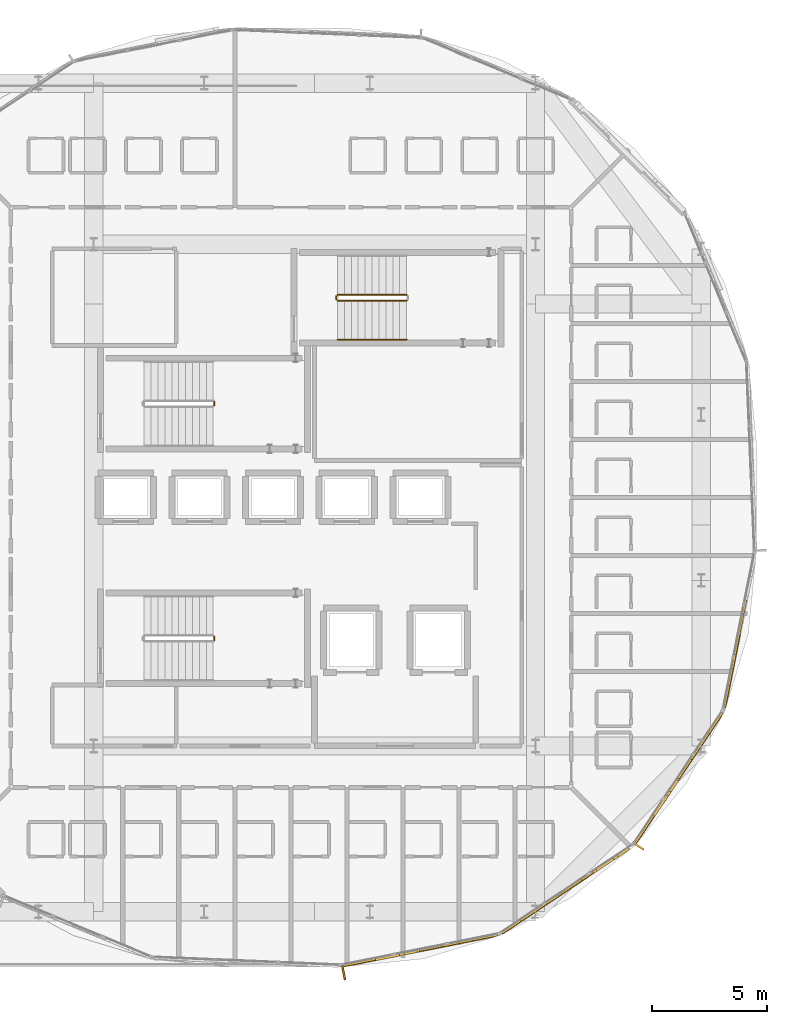
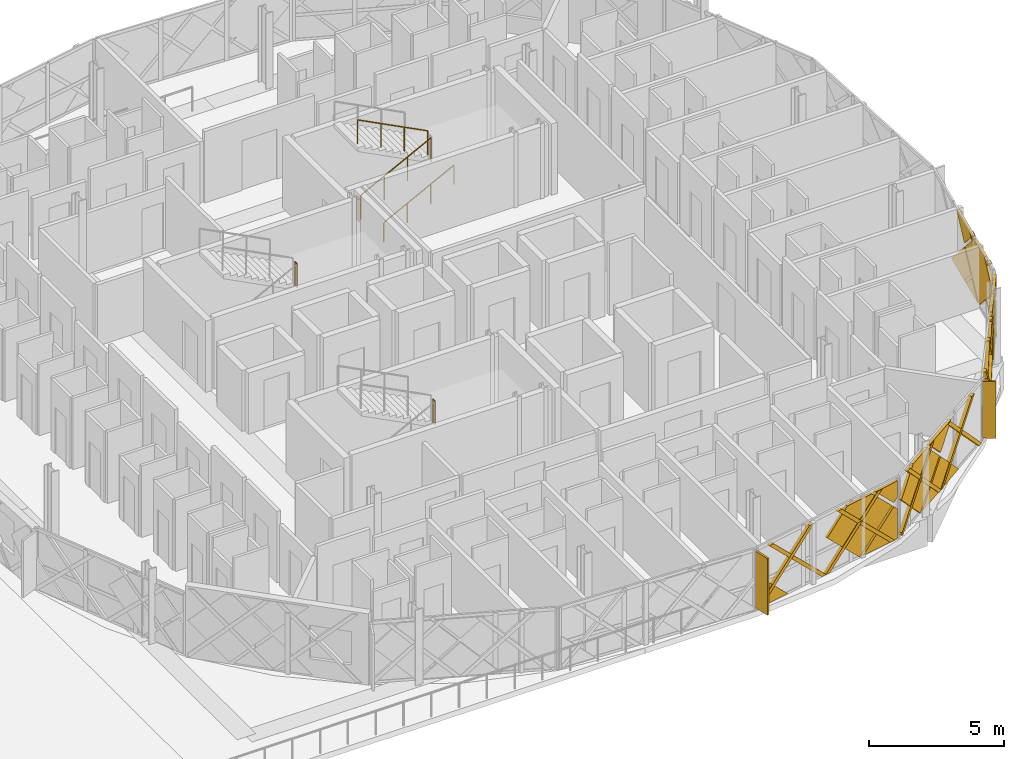
# One storey, part 43 of 53: 28 coverings, 6 railings, 2 shading devices.
"""IFC4 building model written with IfcOpenShell, lengths in metres."""

from ifc_helpers import new_model, si_unit, direction, frame, origin, origin_2d, place, context, subcontext, project, spatial, polyline, rectangle, circle, outline, extrude, material, layer, layer_set, type_object, element, save


model = new_model("IFC4")

# Units and contexts
model_context = context("Model", 3, precision=1e-05, world=origin(), true_north=direction((0.0, 1.0)))
body_context = subcontext(model_context, "Body", "Model", "MODEL_VIEW")
ifc_project = project(units=[si_unit("LENGTHUNIT", "METRE"), si_unit("AREAUNIT", "SQUARE_METRE"), si_unit("VOLUMEUNIT", "CUBIC_METRE"), si_unit("PLANEANGLEUNIT", "RADIAN"), si_unit("MASSUNIT", "GRAM", prefix="KILO")], contexts=[model_context])

# Site, building, storey
site_placement = place(None, origin())
site = spatial("IfcSite", under=ifc_project, at=site_placement, CompositionType="ELEMENT")
building_placement = place(site_placement, origin())
building = spatial("IfcBuilding", under=site, at=building_placement, Name="Zevrakil Square Congress Hotel", CompositionType="ELEMENT")
storey_placement = place(building_placement, frame((0.0, 0.0, 14.699951171875)))
storey = spatial("IfcBuildingStorey", under=building, at=storey_placement, Name="L04", CompositionType="ELEMENT", Elevation=14.699951171875)

# Coverings
ifc_material_1 = material(Name="Architectural White Fibre-C GRC", Category="concrete")
ifc_layer_1 = layer(ifc_material_1, 0.06494140625)
ifc_layer_set_1 = layer_set([ifc_layer_1], Name="Architectural White Fibre-C GRC")
covering_type_1 = type_object("IfcCoveringType", Name="COV-DIA-WHITE", PredefinedType="CLADDING", material=ifc_layer_set_1)
covering_1_placement = place(storey_placement, frame((149.054443359375, 7.491455078125, 0.080078125), z_axis=(0.19515029524, -0.98077308983, 0.000713115611), x_axis=(-0.980773339208, -0.19515034486, 0.0)))
element("IfcCovering", 1, at=covering_1_placement, inside=storey, type_object=covering_type_1, Name="L04 45-degree white GRC diamond facade cassette 2190", PredefinedType="CLADDING", context=body_context, shape_type="SweptSolid", body=[
    extrude(outline(polyline([(0.0, 0.0), (1.409920564436228, -2.710505431213761e-20), (1.4099694345435934, -1.4099124678691708), (0.0, 0.0)])), origin(), (0.0, 0.0, -1.0), 0.1201171875),
])
covering_2_placement = place(storey_placement, frame((154.164306640625, 8.5087890625, 1.590087890625), z_axis=(0.195095002409, -0.980784201879, 0.000537940586), x_axis=(0.693383377426, 0.137538038276, -0.707320846531)))
element("IfcCovering", 2, at=covering_2_placement, inside=storey, type_object=covering_type_1, Name="L04 45-degree white GRC diamond facade cassette 2191", PredefinedType="CLADDING", context=body_context, shape_type="SweptSolid", body=[
    extrude(outline(polyline([(0.0, 0.0), (0.2626686507407934, -2.7755575615628914e-17), (1.1992154421148744, -0.9361815752429213), (0.0005602641638955408, -2.135563173304746), (0.0, 0.0)])), origin(), (0.0, 0.0, -1.0), 0.1201171875),
])
covering_3_placement = place(storey_placement, frame((154.075927734375, 8.4912109375, 1.679931640625), z_axis=(0.195059802767, -0.980791184387, 0.000570940895), x_axis=(-0.693489100845, -0.138332746157, -0.707062174317)))
element("IfcCovering", 3, at=covering_3_placement, inside=storey, type_object=covering_type_1, Name="L04 45-degree white GRC diamond facade cassette 2192", PredefinedType="CLADDING", context=body_context, shape_type="SweptSolid", body=[
    extrude(outline(polyline([(0.0, 0.0), (2.2485204308723663, 0.0), (2.2487370047075603, -2.248453987948904), (0.8484229096052905, -2.2486312356603917), (-0.00016930865472897239, -1.400145640489093), (0.0, 0.0)])), origin(), (0.0, 0.0, -1.0), 0.1201171875),
])
covering_4_placement = place(storey_placement, frame((154.164306640625, 8.5087890625, 1.77001953125), z_axis=(0.195237608036, -0.980755710102, 0.000716597298), x_axis=(-0.693541497596, -0.13754559838, 0.707164336967)))
element("IfcCovering", 4, at=covering_4_placement, inside=storey, type_object=covering_type_1, Name="L04 45-degree white GRC diamond facade cassette 2193", PredefinedType="CLADDING", context=body_context, shape_type="SweptSolid", body=[
    extrude(outline(polyline([(0.0, 0.0), (1.2728957909532501, 1.1102230246251565e-16), (0.5053362083330819, -0.7676849115048445), (0.00023665785249463167, -0.2625330361588635), (0.0, 0.0)])), origin(), (0.0, 0.0, -1.0), 0.1201171875),
])
covering_5_placement = place(storey_placement, frame((157.272216796875, 10.4453125, 1.590087890625), z_axis=(0.555558008014, -0.831477606581, 0.000538038776), x_axis=(0.588124084875, 0.39250194078, -0.707143752906)))
element("IfcCovering", 5, at=covering_5_placement, inside=storey, type_object=covering_type_1, Name="L04 45-degree white GRC diamond facade cassette 2198", PredefinedType="CLADDING", context=body_context, shape_type="SweptSolid", body=[
    extrude(outline(polyline([(0.0, 0.0), (2.1353646403852276, 4.440892098500626e-16), (7.910572278801986e-05, -2.1355094611236565), (0.0, 0.0)])), origin(), (0.0, 0.0, -1.0), 0.1201171875),
])
covering_6_placement = place(storey_placement, frame((157.197265625, 10.395263671875, 1.679931640625), z_axis=(0.555578465233, -0.831463888994, 0.000608496379), x_axis=(-0.587740830082, -0.393241836272, -0.707051324064)))
element("IfcCovering", 6, at=covering_6_placement, inside=storey, type_object=covering_type_1, Name="L04 45-degree white GRC diamond facade cassette 2199", PredefinedType="CLADDING", context=body_context, shape_type="SweptSolid", body=[
    extrude(outline(polyline([(0.0, 0.0), (2.248554996707167, -4.440892098500626e-16), (2.248627602879275, -2.234466136015067), (2.2346453867539946, -2.2484505402497175), (0.8346111930901301, -2.2485837931356563), (0.0001422657244839476, -1.4142453515262818), (0.0, 0.0)])), origin(), (0.0, 0.0, -1.0), 0.1201171875),
])
covering_7_placement = place(storey_placement, frame((157.27197265625, 10.4453125, 1.77001953125), z_axis=(0.555628448349, -0.831430498036, 0.00059524804), x_axis=(-0.588146463347, -0.392540333118, 0.707103828676)))
element("IfcCovering", 7, at=covering_7_placement, inside=storey, type_object=covering_type_1, Name="L04 45-degree white GRC diamond facade cassette 2200", PredefinedType="CLADDING", context=body_context, shape_type="SweptSolid", body=[
    extrude(outline(polyline([(0.0, 0.0), (1.2868154187186722, 1.1102230246251565e-16), (-0.00010690540239133295, -1.286912033124778), (0.0, 0.0)])), origin(), (0.0, 0.0, -1.0), 0.1201171875),
])
covering_8_placement = place(storey_placement, frame((161.1689453125, 13.751708984375, 0.080078125), z_axis=(0.831437027782, -0.555618788453, 0.000480365651), x_axis=(-0.555618852558, -0.831437123709, 0.0)))
element("IfcCovering", 8, at=covering_8_placement, inside=storey, type_object=covering_type_1, Name="L04 45-degree white GRC diamond facade cassette 2205", PredefinedType="CLADDING", context=body_context, shape_type="SweptSolid", body=[
    extrude(outline(polyline([(0.0, 0.0), (1.4100444252712594, 0.0), (1.4099097483810488, -1.4099122720444544), (0.0, 0.0)])), origin(), (0.0, 0.0, -1.0), 0.1201171875),
])
covering_9_placement = place(storey_placement, frame((164.062744140625, 18.083984375, 1.590087890625), z_axis=(0.831442731228, -0.555610155628, 0.00058279633), x_axis=(0.393088062934, 0.587494618995, -0.707341393833)))
element("IfcCovering", 9, at=covering_9_placement, inside=storey, type_object=covering_type_1, Name="L04 45-degree white GRC diamond facade cassette 2206", PredefinedType="CLADDING", context=body_context, shape_type="SweptSolid", body=[
    extrude(outline(polyline([(0.0, 0.0), (0.26266104749351293, -2.7755575615628914e-17), (1.1994802588511777, -0.935909001128236), (0.0008210157939070317, -2.1353644823786495), (0.0, 0.0)])), origin(), (0.0, 0.0, -1.0), 0.1201171875),
])
covering_10_placement = place(storey_placement, frame((164.0126953125, 18.00927734375, 1.679931640625), z_axis=(0.831485981025, -0.555545381453, 0.000626502146), x_axis=(-0.392475411113, -0.588216195204, -0.70708186186)))
element("IfcCovering", 10, at=covering_10_placement, inside=storey, type_object=covering_type_1, Name="L04 45-degree white GRC diamond facade cassette 2207", PredefinedType="CLADDING", context=body_context, shape_type="SweptSolid", body=[
    extrude(outline(polyline([(0.0, 0.0), (2.248457720953593, 0.0), (2.2486165695487155, -2.2484589887364503), (0.834467035198506, -2.248572894466057), (3.408418221129139e-05, -1.4141984684053717), (0.0, 0.0)])), origin(), (0.0, 0.0, -1.0), 0.1201171875),
])
covering_11_placement = place(storey_placement, frame((164.062744140625, 18.084228515625, 1.77001953125), z_axis=(0.831486700775, -0.555544077994, 0.00080239633), x_axis=(-0.393331879266, -0.587681346377, 0.707050682676)))
element("IfcCovering", 11, at=covering_11_placement, inside=storey, type_object=covering_type_1, Name="L04 45-degree white GRC diamond facade cassette 2208", PredefinedType="CLADDING", context=body_context, shape_type="SweptSolid", body=[
    extrude(outline(polyline([(0.0, 0.0), (1.2869120339673927, 0.0), (0.5120577469336491, -0.7747319630208972), (0.00016233045802716006, -0.262565087303538), (0.0, 0.0)])), origin(), (0.0, 0.0, -1.0), 0.1201171875),
])
covering_12_placement = place(storey_placement, frame((164.89111328125, 21.65087890625, 1.590087890625), z_axis=(0.980788297829, -0.195074362237, 0.000555013588), x_axis=(0.138328919404, 0.693473739757, -0.707077988855)))
element("IfcCovering", 12, at=covering_12_placement, inside=storey, type_object=covering_type_1, Name="L04 45-degree white GRC diamond facade cassette 2213", PredefinedType="CLADDING", context=body_context, shape_type="SweptSolid", body=[
    extrude(outline(polyline([(0.0, 0.0), (2.135563246805707, 0.0), (6.249161660365488e-05, -2.135327514726307), (0.0, 0.0)])), origin(), (0.0, 0.0, -1.0), 0.1201171875),
])
covering_13_placement = place(storey_placement, frame((164.873291015625, 21.562744140625, 1.679931640625), z_axis=(0.980786691225, -0.195082321259, 0.000595188258), x_axis=(-0.137533822372, -0.693615882522, -0.707093667923)))
element("IfcCovering", 13, at=covering_13_placement, inside=storey, type_object=covering_type_1, Name="L04 45-degree white GRC diamond facade cassette 2214", PredefinedType="CLADDING", context=body_context, shape_type="SweptSolid", body=[
    extrude(outline(polyline([(0.0, 0.0), (2.248420420456264, 0.0), (2.2484998004644625, -2.2346067710306845), (2.234516746972818, -2.2485903382038472), (0.848491180206953, -2.2488373365820418), (-9.698026500626344e-05, -1.400280331736626), (0.0, 0.0)])), origin(), (0.0, 0.0, -1.0), 0.1201171875),
])
covering_14_placement = place(storey_placement, frame((164.890869140625, 21.65087890625, 1.77001953125), z_axis=(0.980793829285, -0.195046539415, 0.00055847869), x_axis=(-0.138291115899, -0.693373625485, 0.707183556614)))
element("IfcCovering", 14, at=covering_14_placement, inside=storey, type_object=covering_type_1, Name="L04 45-degree white GRC diamond facade cassette 2215", PredefinedType="CLADDING", context=body_context, shape_type="SweptSolid", body=[
    extrude(outline(polyline([(0.0, 0.0), (1.2728611630681623, 0.0), (0.00024219076810805262, -1.2728957683410256), (0.0, 0.0)])), origin(), (0.0, 0.0, -1.0), 0.1201171875),
])
ifc_material_2 = material(Name="Anodised Champagne Aluminium", Category="aluminium")
ifc_layer_2 = layer(ifc_material_2, 0.0849609375)
ifc_layer_set_2 = layer_set([ifc_layer_2], Name="Anodised Champagne Aluminium")
covering_type_2 = type_object("IfcCoveringType", Name="COV-DIAGRID-45", PredefinedType="MOLDING", material=ifc_layer_set_2)
covering_15_placement = place(storey_placement, frame((147.760986328125, 7.208740234375, 0.080078125), z_axis=(0.195097330409, -0.98078372401, 0.00056425619), x_axis=(-0.980783880113, -0.195097361618, -2.72523e-07)))
element("IfcCovering", 15, at=covering_15_placement, inside=storey, type_object=covering_type_2, Name="L04 45-degree aluminium diagrid rib 2194", PredefinedType="MOLDING", context=body_context, shape_type="SweptSolid", body=[
    extrude(outline(polyline([(0.0, 0.0), (0.08613597179461896, 0.0), (0.08613593746311814, -0.12597654244546677), (-2.3777649661619567, -2.5900876567405424), (-2.5898253470139503, -2.5900875341374214), (0.0, 0.0)])), origin(), (0.0, 0.0, -1.0), 0.14501953125),
])
covering_16_placement = place(storey_placement, frame((151.056396484375, 7.864013671875, 0.080078125), z_axis=(0.19456596219, -0.980888756132, 0.001155184566), x_axis=(-0.980889410606, -0.19456609201, 0.0)))
element("IfcCovering", 16, at=covering_16_placement, inside=storey, type_object=covering_type_2, Name="L04 45-degree aluminium diagrid rib 2195", PredefinedType="MOLDING", context=body_context, shape_type="SweptSolid", body=[
    extrude(outline(polyline([(0.0, 0.0), (0.21206041195957603, 0.0), (-2.3778106196693605, -2.5900896187999125), (-2.5898710316289364, -2.5900896187999125), (0.0, 0.0)])), origin(), (0.0, 0.0, -1.0), 0.14501953125),
])
covering_17_placement = place(storey_placement, frame((148.15087890625, 7.287841796875, 2.670166015625), z_axis=(0.195119809317, -0.980779218513, 0.000620116726), x_axis=(0.980779407132, 0.19511984662, -3.50103e-07)))
element("IfcCovering", 17, at=covering_17_placement, inside=storey, type_object=covering_type_2, Name="L04 45-degree aluminium diagrid rib 2196", PredefinedType="MOLDING", context=body_context, shape_type="SweptSolid", body=[
    extrude(outline(polyline([(0.0, 0.0), (0.21206037816297216, 0.0), (2.80208029717673, -2.5900874076121214), (2.5899722823324542, -2.5900875561145695), (0.0, 0.0)])), origin(), (0.0, 0.0, -1.0), 0.14501953125),
])
covering_18_placement = place(storey_placement, frame((151.4462890625, 7.943359375, 2.670166015625), z_axis=(0.194566091002, -0.980889405525, 0.000101790873), x_axis=(0.980889410606, 0.19456609201, 0.0)))
element("IfcCovering", 18, at=covering_18_placement, inside=storey, type_object=covering_type_2, Name="L04 45-degree aluminium diagrid rib 2197", PredefinedType="MOLDING", context=body_context, shape_type="SweptSolid", body=[
    extrude(outline(polyline([(0.0, 0.0), (0.21206041195957603, 0.0), (2.802032349114804, -2.590087904043445), (2.5899719371552274, -2.590087904043445), (0.0, 0.0)])), origin(), (0.0, 0.0, -1.0), 0.14501953125),
])
covering_19_placement = place(storey_placement, frame((154.6474609375, 8.660400390625, 0.080078125), z_axis=(0.555771462402, -0.831335040476, 0.000363394036), x_axis=(-0.831335095347, -0.55577149913, -1.03736e-07)))
element("IfcCovering", 19, at=covering_19_placement, inside=storey, type_object=covering_type_2, Name="L04 45-degree aluminium diagrid rib 2201", PredefinedType="MOLDING", context=body_context, shape_type="SweptSolid", body=[
    extrude(outline(polyline([(0.0, 0.0), (0.08606259686670062, -1.6940658945086007e-21), (0.08626554646818836, -0.12597660351075082), (-2.387882148076642, -2.5998534302880545), (-2.599957727402806, -2.5998534320497932), (0.0, 0.0)])), origin(), (0.0, 0.0, -1.0), 0.14501953125),
])
covering_20_placement = place(storey_placement, frame((157.441162109375, 10.527099609375, 0.080078125), z_axis=(0.556027791379, -0.831163696429, 7.0375506e-05), x_axis=(-0.831163698488, -0.556027792755, 0.0)))
element("IfcCovering", 20, at=covering_20_placement, inside=storey, type_object=covering_type_2, Name="L04 45-degree aluminium diagrid rib 2202", PredefinedType="MOLDING", context=body_context, shape_type="SweptSolid", body=[
    extrude(outline(polyline([(0.0, 0.0), (0.2120755894064681, 0.0), (-2.387882048291549, -2.599853522063163), (-2.599957637698017, -2.599853522063163), (0.0, 0.0)])), origin(), (0.0, 0.0, -1.0), 0.14501953125),
])
for number, where, z_axis, x_axis, name in (
    (21, (154.968994140625, 8.877197265625, 2.679931640625), (0.555761673318, -0.831341219405, 0.000859877471), (0.831341526879, 0.555761878584, -2.74808e-07), "L04 45-degree aluminium diagrid rib 2203"),
    (22, (157.7626953125, 10.743896484375, 2.679931640625), (0.555761673318, -0.831341219405, 0.000859877471), (0.831341526879, 0.555761878584, -2.74808e-07), "L04 45-degree aluminium diagrid rib 2204"),
):
    element("IfcCovering", number, at=place(storey_placement, frame(where, z_axis=z_axis, x_axis=x_axis)), inside=storey, type_object=covering_type_2, Name=name, PredefinedType="MOLDING", context=body_context, shape_type="SweptSolid", body=[
        extrude(outline(polyline([(0.0, 0.0), (0.21227854279522496, 0.0), (2.812164928495582, -2.599853703972259), (2.6000893499403177, -2.5998538205881427), (0.0, 0.0)])), origin(), (0.0, 0.0, -1.0), 0.14501953125),
    ])
covering_21_placement = place(storey_placement, frame((160.4541015625, 12.636962890625, 0.080078125), z_axis=(0.831359462311, -0.555734502894, 0.00077892136), x_axis=(-0.555734670456, -0.831359715196, -1.582632e-06)))
element("IfcCovering", 23, at=covering_21_placement, inside=storey, type_object=covering_type_2, Name="L04 45-degree aluminium diagrid rib 2209", PredefinedType="MOLDING", context=body_context, shape_type="SweptSolid", body=[
    extrude(outline(polyline([(0.0, 0.0), (0.08592691828401545, 0.0), (0.08606239631930776, -0.12597668259504974), (-2.387949956587761, -2.599850470049494), (-2.6000255328088815, -2.599850076162166), (0.0, 0.0)])), origin(), (0.0, 0.0, -1.0), 0.14501953125),
])
covering_22_placement = place(storey_placement, frame((162.32080078125, 15.4306640625, 0.080078125), z_axis=(0.831607283076, -0.555364033335, 0.000342364108), x_axis=(-0.555364065867, -0.831607331824, -5.4472e-08)))
element("IfcCovering", 24, at=covering_22_placement, inside=storey, type_object=covering_type_2, Name="L04 45-degree aluminium diagrid rib 2210", PredefinedType="MOLDING", context=body_context, shape_type="SweptSolid", body=[
    extrude(outline(polyline([(0.0, 0.0), (0.2119399348937807, 6.776263578034403e-21), (-2.3879466175270108, -2.599853537916183), (-2.600225168484681, -2.5998535148079482), (0.0, 0.0)])), origin(), (0.0, 0.0, -1.0), 0.14501953125),
])
covering_23_placement = place(storey_placement, frame((160.66845703125, 12.960205078125, 2.679931640625), z_axis=(0.831341471615, -0.555761841924, 0.00036418923), x_axis=(0.555761878745, 0.831341526771, 1.16391e-07)))
element("IfcCovering", 25, at=covering_23_placement, inside=storey, type_object=covering_type_2, Name="L04 45-degree aluminium diagrid rib 2211", PredefinedType="MOLDING", context=body_context, shape_type="SweptSolid", body=[
    extrude(outline(polyline([(0.0, 0.0), (0.21227854279521838, -6.776263578034403e-21), (2.8122356863324507, -2.5998540153584893), (2.600160107777167, -2.5998539659674416), (0.0, 0.0)])), origin(), (0.0, 0.0, -1.0), 0.14501953125),
])
covering_24_placement = place(storey_placement, frame((162.53515625, 15.754150390625, 2.679931640625), z_axis=(0.831163696429, -0.556027791379, 7.0375506e-05), x_axis=(0.556027792755, 0.831163698488, 0.0)))
element("IfcCovering", 26, at=covering_24_placement, inside=storey, type_object=covering_type_2, Name="L04 45-degree aluminium diagrid rib 2212", PredefinedType="MOLDING", context=body_context, shape_type="SweptSolid", body=[
    extrude(outline(polyline([(0.0, 0.0), (0.2120755894064681, 0.0), (2.812033227104485, -2.599853522063163), (2.599957637698017, -2.599853522063163), (0.0, 0.0)])), origin(), (0.0, 0.0, -1.0), 0.14501953125),
])
covering_25_placement = place(storey_placement, frame((164.297119140625, 18.532958984375, 0.080078125), z_axis=(0.980857677157, -0.19472582308, 0.000266435961), x_axis=(-0.194725829858, -0.980857711998, -5.11395e-07)))
element("IfcCovering", 27, at=covering_25_placement, inside=storey, type_object=covering_type_2, Name="L04 45-degree aluminium diagrid rib 2216", PredefinedType="MOLDING", context=body_context, shape_type="SweptSolid", body=[
    extrude(outline(polyline([(0.0, 0.0), (0.08608840937051629, 0.0), (0.08608834494669403, -0.12597655802856372), (-2.3779127752861866, -2.5900867560614476), (-2.590020724919515, -2.5900865929890236), (0.0, 0.0)])), origin(), (0.0, 0.0, -1.0), 0.14501953125),
])
covering_26_placement = place(storey_placement, frame((164.373291015625, 18.923583984375, 2.670166015625), z_axis=(0.980779261735, -0.195119817916, 0.000544433213), x_axis=(0.195119846997, 0.980779407057, -3.07304e-07)))
element("IfcCovering", 28, at=covering_26_placement, inside=storey, type_object=covering_type_2, Name="L04 45-degree aluminium diagrid rib 2218", PredefinedType="MOLDING", context=body_context, shape_type="SweptSolid", body=[
    extrude(outline(polyline([(0.0, 0.0), (0.2121080148443249, 0.0), (2.801933482209908, -2.5900874134391945), (2.589873104046979, -2.5900875437880524), (0.0, 0.0)])), origin(), (0.0, 0.0, -1.0), 0.14501953125),
])

# Railings
ifc_material_3 = material(Name="Steel S355", Category="steel")
railing_type_1 = type_object("IfcRailingType", Name="RLG-STAIR-GUARD-1100", PredefinedType="BALUSTRADE", material=ifc_material_3)
railing_1_placement = place(storey_placement, frame((142.050048828125, 21.39990234375, 1.699951171875)))
element("IfcRailing", 29, at=railing_1_placement, inside=storey, type_object=railing_type_1, Name="L04 ST01 stair guard 2", PredefinedType="BALUSTRADE", context=body_context, shape_type="SweptSolid", body=[
    extrude(circle(Radius=0.02392578125, at=origin_2d()), frame((0.0, 0.0, 1.076171875), z_axis=(0.0, 1.0, 0.0), x_axis=(-1.0, 0.0, 0.0)), (0.0, 0.0, 1.0), 0.150146484375),
    extrude(circle(Radius=0.02099609375, at=origin_2d()), origin(), (0.0, 0.0, 1.0), 1.052001953125),
    extrude(circle(Radius=0.02099609375, at=origin_2d()), frame((0.0, 0.150146484375, 0.0)), (0.0, 0.0, 1.0), 1.052001953125),
])
railing_2_placement = place(storey_placement, frame((142.050048828125, 31.60009765625, 1.699951171875)))
element("IfcRailing", 30, at=railing_2_placement, inside=storey, type_object=railing_type_1, Name="L04 ST02 stair guard 2", PredefinedType="BALUSTRADE", context=body_context, shape_type="SweptSolid", body=[
    extrude(circle(Radius=0.02392578125, at=origin_2d()), frame((0.0, 0.0, 1.076171875), z_axis=(0.0, 1.0, 0.0), x_axis=(-1.0, 0.0, 0.0)), (0.0, 0.0, 1.0), 0.14990234375),
    extrude(circle(Radius=0.02099609375, at=origin_2d()), origin(), (0.0, 0.0, 1.0), 1.052001953125),
    extrude(circle(Radius=0.02099609375, at=origin_2d()), frame((0.0, 0.14990234375, 0.0)), (0.0, 0.0, 1.0), 1.052001953125),
])
railing_3_placement = place(storey_placement, frame((147.39990234375, 36.14990234375, 0.154541015625)))
element("IfcRailing", 31, at=railing_3_placement, inside=storey, type_object=railing_type_1, Name="L04 ST03 stair guard 1", PredefinedType="BALUSTRADE", context=body_context, shape_type="SweptSolid", body=[
    extrude(circle(Radius=0.02392578125, at=origin_2d()), frame((0.0, 0.0, 1.076171875), z_axis=(0.888979911393, 0.0, 0.45794619459), x_axis=(0.0, 1.0, 0.0)), (0.0, 0.0, 1.0), 3.374755859375),
    extrude(circle(Radius=0.02099609375, at=origin_2d()), origin(), (0.0, 0.0, 1.0), 1.052001953125),
    extrude(circle(Radius=0.02099609375, at=origin_2d()), frame((1.0, 0.0, 0.51513671875)), (0.0, 0.0, 1.0), 1.052001953125),
    extrude(circle(Radius=0.02099609375, at=origin_2d()), frame((2.0, 0.0, 1.0302734375)), (0.0, 0.0, 1.0), 1.052001953125),
    extrude(circle(Radius=0.02099609375, at=origin_2d()), frame((3.0, 0.0, 1.54541015625)), (0.0, 0.0, 1.0), 1.052001953125),
])
railing_4_placement = place(storey_placement, frame((150.39990234375, 36.39990234375, 1.8544921875)))
element("IfcRailing", 32, at=railing_4_placement, inside=storey, type_object=railing_type_1, Name="L04 ST03 stair guard 3", PredefinedType="BALUSTRADE", context=body_context, shape_type="SweptSolid", body=[
    extrude(circle(Radius=0.02392578125, at=origin_2d()), frame((0.0, 0.0, 1.076171875), z_axis=(-0.888950458371, 0.0, 0.45800336523), x_axis=(0.0, -1.0, 0.0)), (0.0, 0.0, 1.0), 3.374755859375),
    extrude(circle(Radius=0.02099609375, at=origin_2d()), origin(), (0.0, 0.0, 1.0), 1.052001953125),
    extrude(circle(Radius=0.02099609375, at=origin_2d()), frame((-1.0, 0.0, 0.51513671875)), (0.0, 0.0, 1.0), 1.052001953125),
    extrude(circle(Radius=0.02099609375, at=origin_2d()), frame((-2.0, 0.0, 1.030517578125)), (0.0, 0.0, 1.0), 1.052001953125),
    extrude(circle(Radius=0.02099609375, at=origin_2d()), frame((-3.0, 0.0, 1.545654296875)), (0.0, 0.0, 1.0), 1.052001953125),
])
railing_5_placement = place(storey_placement, frame((147.35009765625, 36.199951171875, 0.0)))
element("IfcRailing", 33, at=railing_5_placement, inside=storey, type_object=railing_type_1, Name="L04 ST03 stair guard 4", PredefinedType="BALUSTRADE", context=body_context, shape_type="SweptSolid", body=[
    extrude(circle(Radius=0.02392578125, at=origin_2d()), frame((0.0, 0.0, 1.076171875), z_axis=(0.0, 1.0, 0.0), x_axis=(-1.0, 0.0, 0.0)), (0.0, 0.0, 1.0), 0.150146484375),
    extrude(circle(Radius=0.02099609375, at=origin_2d()), origin(), (0.0, 0.0, 1.0), 1.052001953125),
    extrude(circle(Radius=0.02099609375, at=origin_2d()), frame((0.0, 0.150146484375, 0.0)), (0.0, 0.0, 1.0), 1.052001953125),
])
ifc_material_4 = material(Name="Steel S355", Category="steel")
railing_type_2 = type_object("IfcRailingType", Name="RLG-STAIR-HAND-900", PredefinedType="HANDRAIL", material=ifc_material_4)
railing_6_placement = place(storey_placement, frame((147.39990234375, 34.449951171875, 0.154541015625)))
element("IfcRailing", 34, at=railing_6_placement, inside=storey, type_object=railing_type_2, Name="L04 ST03 stair handrail 1", PredefinedType="HANDRAIL", context=body_context, shape_type="SweptSolid", body=[
    extrude(circle(Radius=0.02392578125, at=origin_2d()), frame((0.0, 0.0, 0.8759765625), z_axis=(0.888979911393, 0.0, 0.45794619459), x_axis=(0.0, 1.0, 0.0)), (0.0, 0.0, 1.0), 3.374755859375),
    extrude(circle(Radius=0.02099609375, at=origin_2d()), origin(), (0.0, 0.0, 1.0), 0.851806640625),
    extrude(circle(Radius=0.02099609375, at=origin_2d()), frame((1.0, 0.0, 0.51513671875)), (0.0, 0.0, 1.0), 0.851806640625),
    extrude(circle(Radius=0.02099609375, at=origin_2d()), frame((2.0, 0.0, 1.0302734375)), (0.0, 0.0, 1.0), 0.851806640625),
    extrude(circle(Radius=0.02099609375, at=origin_2d()), frame((3.0, 0.0, 1.54541015625)), (0.0, 0.0, 1.0), 0.851806640625),
])

# Shading devices
ifc_material_5 = material(Name="Aluminium Anodised Bronze", Category="aluminium")
shading_device_type_1 = type_object("IfcShadingDeviceType", Name="SHD-FIN-50", PredefinedType="JALOUSIE", material=ifc_material_5)
shading_device_1_placement = place(storey_placement, frame((160.497802734375, 12.43212890625, 0.10009765625), z_axis=(0.0, 0.0, 1.0), x_axis=(0.831469612303, -0.55557023302, 0.0)))
element("IfcShadingDevice", 35, at=shading_device_1_placement, inside=storey, type_object=shading_device_type_1, Name="L04 aluminium solar shading fin 121", PredefinedType="JALOUSIE", context=body_context, shape_type="SweptSolid", body=[
    extrude(rectangle(XDim=0.5, YDim=0.080078125, at=origin_2d()), origin(), (0.0, 0.0, 1.0), 2.56005859375),
])
ifc_material_6 = material(Name="Aluminium Anodised Bronze", Category="aluminium")
shading_device_type_2 = type_object("IfcShadingDeviceType", Name="SHD-FIN-65", PredefinedType="USERDEFINED", material=ifc_material_6)
shading_device_2_placement = place(storey_placement, frame((147.66162109375, 6.95947265625, 0.10009765625), z_axis=(0.0, 0.0, 1.0), x_axis=(0.195090322016, -0.980785280403, 0.0)))
element("IfcShadingDevice", 36, at=shading_device_2_placement, inside=storey, type_object=shading_device_type_2, Name="L04 aluminium solar shading fin 120", ObjectType="SOLAR FIN", PredefinedType="USERDEFINED", context=body_context, shape_type="SweptSolid", body=[
    extrude(rectangle(XDim=0.64990234375, YDim=0.080078125, at=origin_2d()), origin(), (0.0, 0.0, 1.0), 2.550048828125),
])

save(model, "model.ifc")
